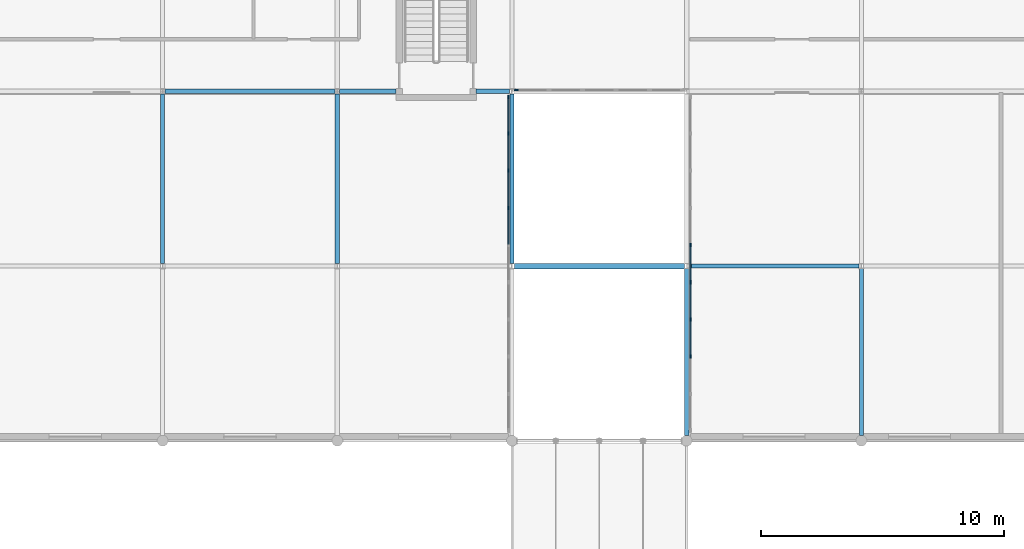
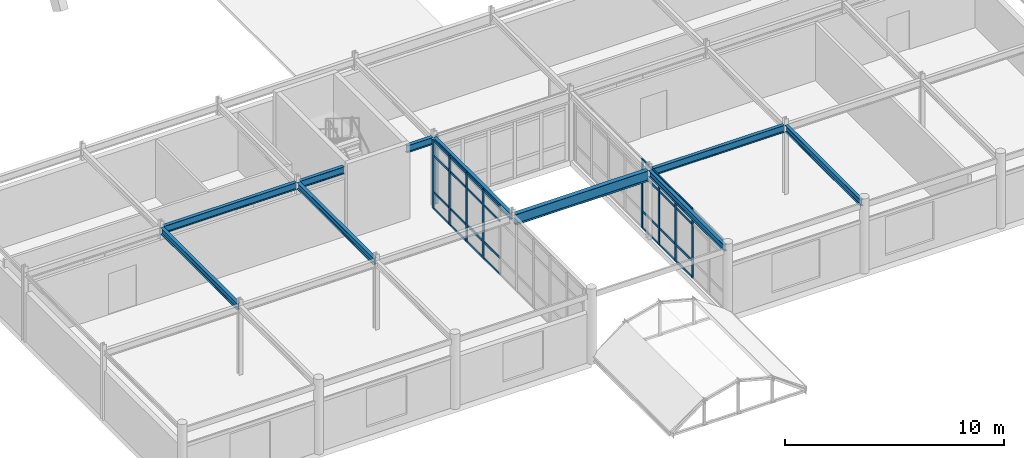
# One storey, part 22 of 85: 37 members, 10 beams, 3 elements without a shape of their own.
"""IFC4 building model written with IfcOpenShell, lengths in metres."""

from ifc_helpers import new_model, si_unit, direction, frame, origin, origin_2d, place, context, subcontext, project, spatial, rectangle, i_section, extrude, material, layer, layer_set, material_profile, profile_set, type_object, element, aggregate, save


model = new_model("IFC4")

# Units and contexts
model_context = context("Model", 3, precision=1e-05, world=origin(), true_north=direction((0.0, 1.0)))
body_context = subcontext(model_context, "Body", "Model", "MODEL_VIEW")
ifc_project = project(units=[si_unit("LENGTHUNIT", "METRE"), si_unit("AREAUNIT", "SQUARE_METRE"), si_unit("VOLUMEUNIT", "CUBIC_METRE"), si_unit("PLANEANGLEUNIT", "RADIAN"), si_unit("MASSUNIT", "GRAM", prefix="KILO")], contexts=[model_context])

# Site, building, storey
site_placement = place(None, origin())
site = spatial("IfcSite", under=ifc_project, at=site_placement, CompositionType="ELEMENT")
building_placement = place(site_placement, origin())
building = spatial("IfcBuilding", under=site, at=building_placement, Name="Ochrevale Crest", CompositionType="ELEMENT")
storey_placement = place(building_placement, frame((0.0, 0.0, 4.5)))
storey = spatial("IfcBuildingStorey", under=building, at=storey_placement, Name="L01", CompositionType="ELEMENT", Elevation=4.5)

# Beams
ifc_material_1 = material(Name="Steel S355", Category="steel")
ifc_material_profile_1 = material_profile(ifc_material_1, i_section(OverallWidth=0.172119140625, OverallDepth=0.358642578125, WebThickness=0.008056640625, FlangeThickness=0.012939453125, FilletRadius=0.011474609375, at=origin_2d()), Name="360UB56.7")
ifc_profile_set_1 = profile_set([ifc_material_profile_1], Name="Steel S355")
beam_type_1 = type_object("IfcBeamType", Name="BM-UB360B", PredefinedType="BEAM", material=ifc_profile_set_1)
for number, where, z_axis, x_axis, name in (
    (1, (64.800048828125, 14.498046875, 3.69580078125), (0.0, 1.0, 0.0), (-1.0, 0.0, 0.0), "Retail arcade L01 N-S beam X=64.8"),
    (2, (72.0, 14.498046875, 3.69580078125), (0.0, 1.0, 0.0), (-1.0, 0.0, 0.0), "Retail arcade L01 N-S beam X=72.0"),
    (3, (79.199951171875, 14.498046875, 3.69580078125), (0.0, 1.0, 0.0), (-1.0, 0.0, 0.0), "Retail arcade L01 N-S beam X=79.2"),
):
    element("IfcBeam", number, at=place(storey_placement, frame(where, z_axis=z_axis, x_axis=x_axis)), inside=storey, type_object=beam_type_1, Name=name, PredefinedType="BEAM", context=body_context, shape_type="SweptSolid", body=[
        extrude(i_section(OverallWidth=0.172119140625, OverallDepth=0.358642578125, WebThickness=0.008056640625, FlangeThickness=0.012939453125, FilletRadius=0.011474609375, at=origin_2d()), origin(), (0.0, 0.0, 1.0), 7.00390625),
    ])
for number, where, z_axis, x_axis, name in (
    (4, (86.39990234375, 7.419921875, 3.69580078125), (0.0, 1.0, 0.0), (-1.0, 0.0, 0.0), "Retail arcade L01 N-S beam X=86.4"),
    (5, (93.60009765625, 7.419921875, 3.69580078125), (0.0, 1.0, 0.0), (-1.0, 0.0, 0.0), "Retail arcade L01 N-S beam X=93.6"),
):
    element("IfcBeam", number, at=place(storey_placement, frame(where, z_axis=z_axis, x_axis=x_axis)), inside=storey, type_object=beam_type_1, Name=name, PredefinedType="BEAM", context=body_context, shape_type="SweptSolid", body=[
        extrude(i_section(OverallWidth=0.172119140625, OverallDepth=0.358642578125, WebThickness=0.008056640625, FlangeThickness=0.012939453125, FilletRadius=0.011474609375, at=origin_2d()), origin(), (0.0, 0.0, 1.0), 6.882080078125),
    ])
ifc_material_profile_2 = material_profile(ifc_material_1, i_section(OverallWidth=0.177734375, OverallDepth=0.402587890625, WebThickness=0.007568359375, FlangeThickness=0.010986328125, FilletRadius=0.011474609375, at=origin_2d()), Name="410UB53.7")
ifc_profile_set_2 = profile_set([ifc_material_profile_2], Name="Steel S355")
beam_type_2 = type_object("IfcBeamType", Name="BM-UB410A", PredefinedType="BEAM", material=ifc_profile_set_2)
beam_1_placement = place(storey_placement, frame((86.498046875, 14.39990234375, 3.673583984375), z_axis=(1.0, 0.0, 0.0), x_axis=(0.0, 1.0, 0.0)))
element("IfcBeam", 6, at=beam_1_placement, inside=storey, type_object=beam_type_2, Name="Retail arcade L01 E-W beam Y=14.4", PredefinedType="BEAM", context=body_context, shape_type="SweptSolid", body=[
    extrude(i_section(OverallWidth=0.177734375, OverallDepth=0.402587890625, WebThickness=0.007568359375, FlangeThickness=0.010986328125, FilletRadius=0.011474609375, at=origin_2d()), origin(), (0.0, 0.0, 1.0), 7.00390625),
])
beam_2_placement = place(storey_placement, frame((64.89794921875, 21.60009765625, 3.673583984375), z_axis=(1.0, 0.0, 0.0), x_axis=(0.0, 1.0, 0.0)))
element("IfcBeam", 7, at=beam_2_placement, inside=storey, type_object=beam_type_2, Name="Retail arcade L01 E-W beam Y=21.6", PredefinedType="BEAM", context=body_context, shape_type="SweptSolid", body=[
    extrude(i_section(OverallWidth=0.177734375, OverallDepth=0.402587890625, WebThickness=0.007568359375, FlangeThickness=0.010986328125, FilletRadius=0.011474609375, at=origin_2d()), origin(), (0.0, 0.0, 1.0), 7.004150390625),
])
beam_3_placement = place(storey_placement, frame((72.097900390625, 21.60009765625, 3.673583984375), z_axis=(1.0, 0.0, 0.0), x_axis=(0.0, 1.0, 0.0)))
element("IfcBeam", 8, at=beam_3_placement, inside=storey, type_object=beam_type_2, Name="Retail arcade L01 E-W beam Y=21.6", PredefinedType="BEAM", context=body_context, shape_type="SweptSolid", body=[
    extrude(i_section(OverallWidth=0.177734375, OverallDepth=0.402587890625, WebThickness=0.007568359375, FlangeThickness=0.010986328125, FilletRadius=0.011474609375, at=origin_2d()), origin(), (0.0, 0.0, 1.0), 2.3271484375),
])
beam_4_placement = place(storey_placement, frame((77.72509765625, 21.60009765625, 3.673583984375), z_axis=(1.0, 0.0, 0.0), x_axis=(0.0, 1.0, 0.0)))
element("IfcBeam", 9, at=beam_4_placement, inside=storey, type_object=beam_type_2, Name="Retail arcade L01 E-W beam Y=21.6", PredefinedType="BEAM", context=body_context, shape_type="SweptSolid", body=[
    extrude(i_section(OverallWidth=0.177734375, OverallDepth=0.402587890625, WebThickness=0.007568359375, FlangeThickness=0.010986328125, FilletRadius=0.011474609375, at=origin_2d()), origin(), (0.0, 0.0, 1.0), 1.376953125),
])
ifc_material_profile_3 = material_profile(ifc_material_1, i_section(OverallWidth=0.22802734375, OverallDepth=0.60205078125, WebThickness=0.010498046875, FlangeThickness=0.014892578125, FilletRadius=0.013916015625, at=origin_2d()), Name="610UB101")
ifc_profile_set_3 = profile_set([ifc_material_profile_3], Name="Steel S355")
beam_type_3 = type_object("IfcBeamType", Name="BM-UB610A", PredefinedType="USERDEFINED", material=ifc_profile_set_3)
beam_5_placement = place(storey_placement, frame((79.298095703125, 14.39990234375, 3.573974609375), z_axis=(1.0, 0.0, 0.0), x_axis=(0.0, 1.0, 0.0)))
element("IfcBeam", 10, at=beam_5_placement, inside=storey, type_object=beam_type_3, Name="Retail arcade L01 E-W beam Y=14.4", ObjectType="GIRDER", PredefinedType="USERDEFINED", context=body_context, shape_type="SweptSolid", body=[
    extrude(i_section(OverallWidth=0.22802734375, OverallDepth=0.60205078125, WebThickness=0.010498046875, FlangeThickness=0.014892578125, FilletRadius=0.013916015625, at=origin_2d()), origin(), (0.0, 0.0, 1.0), 7.00390625),
])

# Curtain wall, members
ifc_material_2 = material(Name="Anodised aluminium 6063-T5", Category="aluminium")
ifc_layer_1 = layer(ifc_material_2, 0.14990234375)
ifc_layer_set_1 = layer_set([ifc_layer_1], Name="Anodised aluminium 6063-T5")
curtain_wall_type_1 = type_object("IfcCurtainWallType", Name="CW-LNG-480x385", PredefinedType="NOTDEFINED", material=ifc_layer_set_1)
curtain_wall_1_placement = place(storey_placement, origin())
curtain_wall_1 = element("IfcCurtainWall", 11, at=curtain_wall_1_placement, inside=storey, type_object=curtain_wall_type_1, Name="Upper Arcade W passage overlook curtain wall", PredefinedType="NOTDEFINED")
ifc_material_profile_4 = material_profile(ifc_material_2, rectangle(XDim=0.06494140625, YDim=0.14990234375, at=origin_2d()), Name="ALU 65x150")
ifc_profile_set_4 = profile_set([ifc_material_profile_4], Name="Anodised aluminium 6063-T5")
member_type_1 = type_object("IfcMemberType", Name="CW-MUL-65x150", PredefinedType="MULLION", material=ifc_profile_set_4)
member_1_placement = place(storey_placement, frame((79.050048828125, 16.800048828125, 0.0), z_axis=(0.0, 0.0, 1.0), x_axis=(-1.0, 0.0, 0.0)))
member_1 = element("IfcMember", 12, at=member_1_placement, type_object=member_type_1, Name="CW11 mullion 7", PredefinedType="MULLION", context=body_context, shape_type="SweptSolid", body=[
    extrude(rectangle(XDim=0.06494140625, YDim=0.14990234375, at=origin_2d()), origin(), (0.0, 0.0, 1.0), 3.85009765625),
])
member_2_placement = place(storey_placement, frame((79.050048828125, 18.333251953125, 0.0), z_axis=(0.0, 0.0, 1.0), x_axis=(-1.0, 0.0, 0.0)))
member_2 = element("IfcMember", 13, at=member_2_placement, type_object=member_type_1, Name="CW11 mullion 8", PredefinedType="MULLION", context=body_context, shape_type="SweptSolid", body=[
    extrude(rectangle(XDim=0.06494140625, YDim=0.14990234375, at=origin_2d()), origin(), (0.0, 0.0, 1.0), 3.85009765625),
])
member_3_placement = place(storey_placement, frame((79.050048828125, 19.86669921875, 0.0), z_axis=(0.0, 0.0, 1.0), x_axis=(-1.0, 0.0, 0.0)))
member_3 = element("IfcMember", 14, at=member_3_placement, type_object=member_type_1, Name="CW11 mullion 9", PredefinedType="MULLION", context=body_context, shape_type="SweptSolid", body=[
    extrude(rectangle(XDim=0.06494140625, YDim=0.14990234375, at=origin_2d()), origin(), (0.0, 0.0, 1.0), 3.85009765625),
])
member_4_placement = place(storey_placement, frame((79.050048828125, 21.367431640625, 0.0), z_axis=(0.0, 0.0, 1.0), x_axis=(-1.0, 0.0, 0.0)))
member_4 = element("IfcMember", 15, at=member_4_placement, type_object=member_type_1, Name="CW11 mullion 10", PredefinedType="MULLION", context=body_context, shape_type="SweptSolid", body=[
    extrude(rectangle(XDim=0.06494140625, YDim=0.14990234375, at=origin_2d()), origin(), (0.0, 0.0, 1.0), 3.85009765625),
])

curtain_wall_2_placement = place(storey_placement, origin())
curtain_wall_2 = element("IfcCurtainWall", 16, at=curtain_wall_2_placement, inside=storey, type_object=curtain_wall_type_1, Name="Upper Arcade E passage overlook curtain wall", PredefinedType="NOTDEFINED")
member_5_placement = place(storey_placement, frame((86.550048828125, 10.666748046875, 0.0), z_axis=(0.0, 0.0, 1.0), x_axis=(-1.0, 0.0, 0.0)))
member_5 = element("IfcMember", 17, at=member_5_placement, type_object=member_type_1, Name="CW11 mullion 3", PredefinedType="MULLION", context=body_context, shape_type="SweptSolid", body=[
    extrude(rectangle(XDim=0.06494140625, YDim=0.14990234375, at=origin_2d()), origin(), (0.0, 0.0, 1.0), 3.85009765625),
])
member_6_placement = place(storey_placement, frame((86.550048828125, 12.199951171875, 0.0), z_axis=(0.0, 0.0, 1.0), x_axis=(-1.0, 0.0, 0.0)))
member_6 = element("IfcMember", 18, at=member_6_placement, type_object=member_type_1, Name="CW11 mullion 4", PredefinedType="MULLION", context=body_context, shape_type="SweptSolid", body=[
    extrude(rectangle(XDim=0.06494140625, YDim=0.14990234375, at=origin_2d()), origin(), (0.0, 0.0, 1.0), 3.85009765625),
])
member_7_placement = place(storey_placement, frame((86.550048828125, 13.7333984375, 0.0), z_axis=(0.0, 0.0, 1.0), x_axis=(-1.0, 0.0, 0.0)))
member_7 = element("IfcMember", 19, at=member_7_placement, type_object=member_type_1, Name="CW11 mullion 5", PredefinedType="MULLION", context=body_context, shape_type="SweptSolid", body=[
    extrude(rectangle(XDim=0.06494140625, YDim=0.14990234375, at=origin_2d()), origin(), (0.0, 0.0, 1.0), 3.85009765625),
])
member_8_placement = place(storey_placement, frame((86.550048828125, 15.2666015625, 0.0), z_axis=(0.0, 0.0, 1.0), x_axis=(-1.0, 0.0, 0.0)))
member_8 = element("IfcMember", 20, at=member_8_placement, type_object=member_type_1, Name="CW11 mullion 6", PredefinedType="MULLION", context=body_context, shape_type="SweptSolid", body=[
    extrude(rectangle(XDim=0.06494140625, YDim=0.14990234375, at=origin_2d()), origin(), (0.0, 0.0, 1.0), 3.85009765625),
])

# Curtain wall, member
ifc_layer_2 = layer(ifc_material_2, 0.14990234375)
ifc_layer_set_2 = layer_set([ifc_layer_2], Name="Anodised aluminium 6063-T5")
curtain_wall_type_2 = type_object("IfcCurtainWallType", Name="CW-LNG-600x385", PredefinedType="NOTDEFINED", material=ifc_layer_set_2)
curtain_wall_3_placement = place(storey_placement, origin())
curtain_wall_3 = element("IfcCurtainWall", 21, at=curtain_wall_3_placement, inside=storey, type_object=curtain_wall_type_2, Name="Residents Gallery Bridge south curtain wall over public passage", PredefinedType="NOTDEFINED")
ifc_material_profile_5 = material_profile(ifc_material_2, rectangle(XDim=0.06494140625, YDim=0.179931640625, at=origin_2d()), Name="ALU 65x180")
ifc_profile_set_5 = profile_set([ifc_material_profile_5], Name="Anodised aluminium 6063-T5")
member_type_2 = type_object("IfcMemberType", Name="CW-MUL-65x180", PredefinedType="MULLION", material=ifc_profile_set_5)
member_9_placement = place(storey_placement, frame((79.3740234375, 21.64990234375, 0.0), z_axis=(0.0, 0.0, 1.0), x_axis=(0.0, 1.0, 0.0)))
member_9 = element("IfcMember", 22, at=member_9_placement, type_object=member_type_2, Name="CW12 mullion 1", PredefinedType="MULLION", context=body_context, shape_type="SweptSolid", body=[
    extrude(rectangle(XDim=0.06494140625, YDim=0.179931640625, at=origin_2d()), origin(), (0.0, 0.0, 1.0), 3.85009765625),
])
aggregate(curtain_wall_3, [member_9])

# Member
ifc_material_profile_6 = material_profile(ifc_material_2, rectangle(XDim=0.06005859375, YDim=0.1201171875, at=origin_2d()), Name="ALU 60x120")
ifc_profile_set_6 = profile_set([ifc_material_profile_6], Name="Anodised aluminium 6063-T5")
member_type_3 = type_object("IfcMemberType", Name="CW-TRN-60x120", PredefinedType="USERDEFINED", material=ifc_profile_set_6)
member_10_placement = place(storey_placement, frame((79.050048828125, 15.299072265625, 0.030029296875), z_axis=(0.0, 1.0, 0.0), x_axis=(-1.0, 0.0, 0.0)))
member_10 = element("IfcMember", 23, at=member_10_placement, type_object=member_type_3, Name="CW11 transom 6.1", ObjectType="TRANSOM", PredefinedType="USERDEFINED", context=body_context, shape_type="SweptSolid", body=[
    extrude(rectangle(XDim=0.06005859375, YDim=0.1201171875, at=origin_2d()), origin(), (0.0, 0.0, 1.0), 1.468505859375),
])

member_11_placement = place(storey_placement, frame((79.050048828125, 15.299072265625, 0.949951171875), z_axis=(0.0, 1.0, 0.0), x_axis=(-1.0, 0.0, 0.0)))
member_11 = element("IfcMember", 24, at=member_11_placement, type_object=member_type_3, Name="CW11 transom 6.2", ObjectType="TRANSOM", PredefinedType="USERDEFINED", context=body_context, shape_type="SweptSolid", body=[
    extrude(rectangle(XDim=0.06005859375, YDim=0.1201171875, at=origin_2d()), origin(), (0.0, 0.0, 1.0), 1.468505859375),
])

member_12_placement = place(storey_placement, frame((79.050048828125, 15.299072265625, 3.0), z_axis=(0.0, 1.0, 0.0), x_axis=(-1.0, 0.0, 0.0)))
member_12 = element("IfcMember", 25, at=member_12_placement, type_object=member_type_3, Name="CW11 transom 6.3", ObjectType="TRANSOM", PredefinedType="USERDEFINED", context=body_context, shape_type="SweptSolid", body=[
    extrude(rectangle(XDim=0.06005859375, YDim=0.1201171875, at=origin_2d()), origin(), (0.0, 0.0, 1.0), 1.468505859375),
])

member_13_placement = place(storey_placement, frame((79.050048828125, 15.299072265625, 3.820068359375), z_axis=(0.0, 1.0, 0.0), x_axis=(-1.0, 0.0, 0.0)))
member_13 = element("IfcMember", 26, at=member_13_placement, type_object=member_type_3, Name="CW11 transom 6.4", ObjectType="TRANSOM", PredefinedType="USERDEFINED", context=body_context, shape_type="SweptSolid", body=[
    extrude(rectangle(XDim=0.06005859375, YDim=0.1201171875, at=origin_2d()), origin(), (0.0, 0.0, 1.0), 1.468505859375),
])

member_14_placement = place(storey_placement, frame((79.050048828125, 16.83251953125, 0.030029296875), z_axis=(0.0, 1.0, 0.0), x_axis=(-1.0, 0.0, 0.0)))
member_14 = element("IfcMember", 27, at=member_14_placement, type_object=member_type_3, Name="CW11 transom 7.1", ObjectType="TRANSOM", PredefinedType="USERDEFINED", context=body_context, shape_type="SweptSolid", body=[
    extrude(rectangle(XDim=0.06005859375, YDim=0.1201171875, at=origin_2d()), origin(), (0.0, 0.0, 1.0), 1.46826171875),
])

member_15_placement = place(storey_placement, frame((79.050048828125, 16.83251953125, 0.949951171875), z_axis=(0.0, 1.0, 0.0), x_axis=(-1.0, 0.0, 0.0)))
member_15 = element("IfcMember", 28, at=member_15_placement, type_object=member_type_3, Name="CW11 transom 7.2", ObjectType="TRANSOM", PredefinedType="USERDEFINED", context=body_context, shape_type="SweptSolid", body=[
    extrude(rectangle(XDim=0.06005859375, YDim=0.1201171875, at=origin_2d()), origin(), (0.0, 0.0, 1.0), 1.46826171875),
])

member_16_placement = place(storey_placement, frame((79.050048828125, 16.83251953125, 3.0), z_axis=(0.0, 1.0, 0.0), x_axis=(-1.0, 0.0, 0.0)))
member_16 = element("IfcMember", 29, at=member_16_placement, type_object=member_type_3, Name="CW11 transom 7.3", ObjectType="TRANSOM", PredefinedType="USERDEFINED", context=body_context, shape_type="SweptSolid", body=[
    extrude(rectangle(XDim=0.06005859375, YDim=0.1201171875, at=origin_2d()), origin(), (0.0, 0.0, 1.0), 1.46826171875),
])

member_17_placement = place(storey_placement, frame((79.050048828125, 16.83251953125, 3.820068359375), z_axis=(0.0, 1.0, 0.0), x_axis=(-1.0, 0.0, 0.0)))
member_17 = element("IfcMember", 30, at=member_17_placement, type_object=member_type_3, Name="CW11 transom 7.4", ObjectType="TRANSOM", PredefinedType="USERDEFINED", context=body_context, shape_type="SweptSolid", body=[
    extrude(rectangle(XDim=0.06005859375, YDim=0.1201171875, at=origin_2d()), origin(), (0.0, 0.0, 1.0), 1.46826171875),
])

member_18_placement = place(storey_placement, frame((79.050048828125, 18.36572265625, 0.030029296875), z_axis=(0.0, 1.0, 0.0), x_axis=(-1.0, 0.0, 0.0)))
member_18 = element("IfcMember", 31, at=member_18_placement, type_object=member_type_3, Name="CW11 transom 8.1", ObjectType="TRANSOM", PredefinedType="USERDEFINED", context=body_context, shape_type="SweptSolid", body=[
    extrude(rectangle(XDim=0.06005859375, YDim=0.1201171875, at=origin_2d()), origin(), (0.0, 0.0, 1.0), 1.468505859375),
])

member_19_placement = place(storey_placement, frame((79.050048828125, 18.36572265625, 0.949951171875), z_axis=(0.0, 1.0, 0.0), x_axis=(-1.0, 0.0, 0.0)))
member_19 = element("IfcMember", 32, at=member_19_placement, type_object=member_type_3, Name="CW11 transom 8.2", ObjectType="TRANSOM", PredefinedType="USERDEFINED", context=body_context, shape_type="SweptSolid", body=[
    extrude(rectangle(XDim=0.06005859375, YDim=0.1201171875, at=origin_2d()), origin(), (0.0, 0.0, 1.0), 1.468505859375),
])

member_20_placement = place(storey_placement, frame((79.050048828125, 18.36572265625, 3.0), z_axis=(0.0, 1.0, 0.0), x_axis=(-1.0, 0.0, 0.0)))
member_20 = element("IfcMember", 33, at=member_20_placement, type_object=member_type_3, Name="CW11 transom 8.3", ObjectType="TRANSOM", PredefinedType="USERDEFINED", context=body_context, shape_type="SweptSolid", body=[
    extrude(rectangle(XDim=0.06005859375, YDim=0.1201171875, at=origin_2d()), origin(), (0.0, 0.0, 1.0), 1.468505859375),
])

member_21_placement = place(storey_placement, frame((79.050048828125, 18.36572265625, 3.820068359375), z_axis=(0.0, 1.0, 0.0), x_axis=(-1.0, 0.0, 0.0)))
member_21 = element("IfcMember", 34, at=member_21_placement, type_object=member_type_3, Name="CW11 transom 8.4", ObjectType="TRANSOM", PredefinedType="USERDEFINED", context=body_context, shape_type="SweptSolid", body=[
    extrude(rectangle(XDim=0.06005859375, YDim=0.1201171875, at=origin_2d()), origin(), (0.0, 0.0, 1.0), 1.468505859375),
])

member_22_placement = place(storey_placement, frame((79.050048828125, 19.899169921875, 0.030029296875), z_axis=(0.0, 1.0, 0.0), x_axis=(-1.0, 0.0, 0.0)))
member_22 = element("IfcMember", 35, at=member_22_placement, type_object=member_type_3, Name="CW11 transom 9.1", ObjectType="TRANSOM", PredefinedType="USERDEFINED", context=body_context, shape_type="SweptSolid", body=[
    extrude(rectangle(XDim=0.06005859375, YDim=0.1201171875, at=origin_2d()), origin(), (0.0, 0.0, 1.0), 1.435791015625),
])

member_23_placement = place(storey_placement, frame((79.050048828125, 19.899169921875, 0.949951171875), z_axis=(0.0, 1.0, 0.0), x_axis=(-1.0, 0.0, 0.0)))
member_23 = element("IfcMember", 36, at=member_23_placement, type_object=member_type_3, Name="CW11 transom 9.2", ObjectType="TRANSOM", PredefinedType="USERDEFINED", context=body_context, shape_type="SweptSolid", body=[
    extrude(rectangle(XDim=0.06005859375, YDim=0.1201171875, at=origin_2d()), origin(), (0.0, 0.0, 1.0), 1.435791015625),
])

member_24_placement = place(storey_placement, frame((79.050048828125, 19.899169921875, 3.0), z_axis=(0.0, 1.0, 0.0), x_axis=(-1.0, 0.0, 0.0)))
member_24 = element("IfcMember", 37, at=member_24_placement, type_object=member_type_3, Name="CW11 transom 9.3", ObjectType="TRANSOM", PredefinedType="USERDEFINED", context=body_context, shape_type="SweptSolid", body=[
    extrude(rectangle(XDim=0.06005859375, YDim=0.1201171875, at=origin_2d()), origin(), (0.0, 0.0, 1.0), 1.435791015625),
])

member_25_placement = place(storey_placement, frame((79.050048828125, 19.899169921875, 3.820068359375), z_axis=(0.0, 1.0, 0.0), x_axis=(-1.0, 0.0, 0.0)))
member_25 = element("IfcMember", 38, at=member_25_placement, type_object=member_type_3, Name="CW11 transom 9.4", ObjectType="TRANSOM", PredefinedType="USERDEFINED", context=body_context, shape_type="SweptSolid", body=[
    extrude(rectangle(XDim=0.06005859375, YDim=0.1201171875, at=origin_2d()), origin(), (0.0, 0.0, 1.0), 1.435791015625),
])

aggregate(curtain_wall_1, [member_1, member_2, member_3, member_4, member_10, member_11, member_12, member_13, member_14, member_15, member_16, member_17, member_18, member_19, member_20, member_21, member_22, member_23, member_24, member_25])

member_26_placement = place(storey_placement, frame((86.550048828125, 10.69921875, 0.030029296875), z_axis=(0.0, 1.0, 0.0), x_axis=(-1.0, 0.0, 0.0)))
member_26 = element("IfcMember", 39, at=member_26_placement, type_object=member_type_3, Name="CW11 transom 3.1", ObjectType="TRANSOM", PredefinedType="USERDEFINED", context=body_context, shape_type="SweptSolid", body=[
    extrude(rectangle(XDim=0.06005859375, YDim=0.1201171875, at=origin_2d()), origin(), (0.0, 0.0, 1.0), 1.46826171875),
])

member_27_placement = place(storey_placement, frame((86.550048828125, 10.69921875, 0.949951171875), z_axis=(0.0, 1.0, 0.0), x_axis=(-1.0, 0.0, 0.0)))
member_27 = element("IfcMember", 40, at=member_27_placement, type_object=member_type_3, Name="CW11 transom 3.2", ObjectType="TRANSOM", PredefinedType="USERDEFINED", context=body_context, shape_type="SweptSolid", body=[
    extrude(rectangle(XDim=0.06005859375, YDim=0.1201171875, at=origin_2d()), origin(), (0.0, 0.0, 1.0), 1.46826171875),
])

member_28_placement = place(storey_placement, frame((86.550048828125, 10.69921875, 3.0), z_axis=(0.0, 1.0, 0.0), x_axis=(-1.0, 0.0, 0.0)))
member_28 = element("IfcMember", 41, at=member_28_placement, type_object=member_type_3, Name="CW11 transom 3.3", ObjectType="TRANSOM", PredefinedType="USERDEFINED", context=body_context, shape_type="SweptSolid", body=[
    extrude(rectangle(XDim=0.06005859375, YDim=0.1201171875, at=origin_2d()), origin(), (0.0, 0.0, 1.0), 1.46826171875),
])

member_29_placement = place(storey_placement, frame((86.550048828125, 10.69921875, 3.820068359375), z_axis=(0.0, 1.0, 0.0), x_axis=(-1.0, 0.0, 0.0)))
member_29 = element("IfcMember", 42, at=member_29_placement, type_object=member_type_3, Name="CW11 transom 3.4", ObjectType="TRANSOM", PredefinedType="USERDEFINED", context=body_context, shape_type="SweptSolid", body=[
    extrude(rectangle(XDim=0.06005859375, YDim=0.1201171875, at=origin_2d()), origin(), (0.0, 0.0, 1.0), 1.46826171875),
])

member_30_placement = place(storey_placement, frame((86.550048828125, 12.232421875, 0.030029296875), z_axis=(0.0, 1.0, 0.0), x_axis=(-1.0, 0.0, 0.0)))
member_30 = element("IfcMember", 43, at=member_30_placement, type_object=member_type_3, Name="CW11 transom 4.1", ObjectType="TRANSOM", PredefinedType="USERDEFINED", context=body_context, shape_type="SweptSolid", body=[
    extrude(rectangle(XDim=0.06005859375, YDim=0.1201171875, at=origin_2d()), origin(), (0.0, 0.0, 1.0), 1.468505859375),
])

member_31_placement = place(storey_placement, frame((86.550048828125, 12.232421875, 0.949951171875), z_axis=(0.0, 1.0, 0.0), x_axis=(-1.0, 0.0, 0.0)))
member_31 = element("IfcMember", 44, at=member_31_placement, type_object=member_type_3, Name="CW11 transom 4.2", ObjectType="TRANSOM", PredefinedType="USERDEFINED", context=body_context, shape_type="SweptSolid", body=[
    extrude(rectangle(XDim=0.06005859375, YDim=0.1201171875, at=origin_2d()), origin(), (0.0, 0.0, 1.0), 1.468505859375),
])

member_32_placement = place(storey_placement, frame((86.550048828125, 12.232421875, 3.0), z_axis=(0.0, 1.0, 0.0), x_axis=(-1.0, 0.0, 0.0)))
member_32 = element("IfcMember", 45, at=member_32_placement, type_object=member_type_3, Name="CW11 transom 4.3", ObjectType="TRANSOM", PredefinedType="USERDEFINED", context=body_context, shape_type="SweptSolid", body=[
    extrude(rectangle(XDim=0.06005859375, YDim=0.1201171875, at=origin_2d()), origin(), (0.0, 0.0, 1.0), 1.468505859375),
])

member_33_placement = place(storey_placement, frame((86.550048828125, 12.232421875, 3.820068359375), z_axis=(0.0, 1.0, 0.0), x_axis=(-1.0, 0.0, 0.0)))
member_33 = element("IfcMember", 46, at=member_33_placement, type_object=member_type_3, Name="CW11 transom 4.4", ObjectType="TRANSOM", PredefinedType="USERDEFINED", context=body_context, shape_type="SweptSolid", body=[
    extrude(rectangle(XDim=0.06005859375, YDim=0.1201171875, at=origin_2d()), origin(), (0.0, 0.0, 1.0), 1.468505859375),
])

member_34_placement = place(storey_placement, frame((86.550048828125, 13.765869140625, 0.030029296875), z_axis=(0.0, 1.0, 0.0), x_axis=(-1.0, 0.0, 0.0)))
member_34 = element("IfcMember", 47, at=member_34_placement, type_object=member_type_3, Name="CW11 transom 5.1", ObjectType="TRANSOM", PredefinedType="USERDEFINED", context=body_context, shape_type="SweptSolid", body=[
    extrude(rectangle(XDim=0.06005859375, YDim=0.1201171875, at=origin_2d()), origin(), (0.0, 0.0, 1.0), 1.46826171875),
])

member_35_placement = place(storey_placement, frame((86.550048828125, 13.765869140625, 0.949951171875), z_axis=(0.0, 1.0, 0.0), x_axis=(-1.0, 0.0, 0.0)))
member_35 = element("IfcMember", 48, at=member_35_placement, type_object=member_type_3, Name="CW11 transom 5.2", ObjectType="TRANSOM", PredefinedType="USERDEFINED", context=body_context, shape_type="SweptSolid", body=[
    extrude(rectangle(XDim=0.06005859375, YDim=0.1201171875, at=origin_2d()), origin(), (0.0, 0.0, 1.0), 1.46826171875),
])

member_36_placement = place(storey_placement, frame((86.550048828125, 13.765869140625, 3.0), z_axis=(0.0, 1.0, 0.0), x_axis=(-1.0, 0.0, 0.0)))
member_36 = element("IfcMember", 49, at=member_36_placement, type_object=member_type_3, Name="CW11 transom 5.3", ObjectType="TRANSOM", PredefinedType="USERDEFINED", context=body_context, shape_type="SweptSolid", body=[
    extrude(rectangle(XDim=0.06005859375, YDim=0.1201171875, at=origin_2d()), origin(), (0.0, 0.0, 1.0), 1.46826171875),
])

member_37_placement = place(storey_placement, frame((86.550048828125, 13.765869140625, 3.820068359375), z_axis=(0.0, 1.0, 0.0), x_axis=(-1.0, 0.0, 0.0)))
member_37 = element("IfcMember", 50, at=member_37_placement, type_object=member_type_3, Name="CW11 transom 5.4", ObjectType="TRANSOM", PredefinedType="USERDEFINED", context=body_context, shape_type="SweptSolid", body=[
    extrude(rectangle(XDim=0.06005859375, YDim=0.1201171875, at=origin_2d()), origin(), (0.0, 0.0, 1.0), 1.46826171875),
])

aggregate(curtain_wall_2, [member_5, member_6, member_7, member_8, member_26, member_27, member_28, member_29, member_30, member_31, member_32, member_33, member_34, member_35, member_36, member_37])

save(model, "model.ifc")
